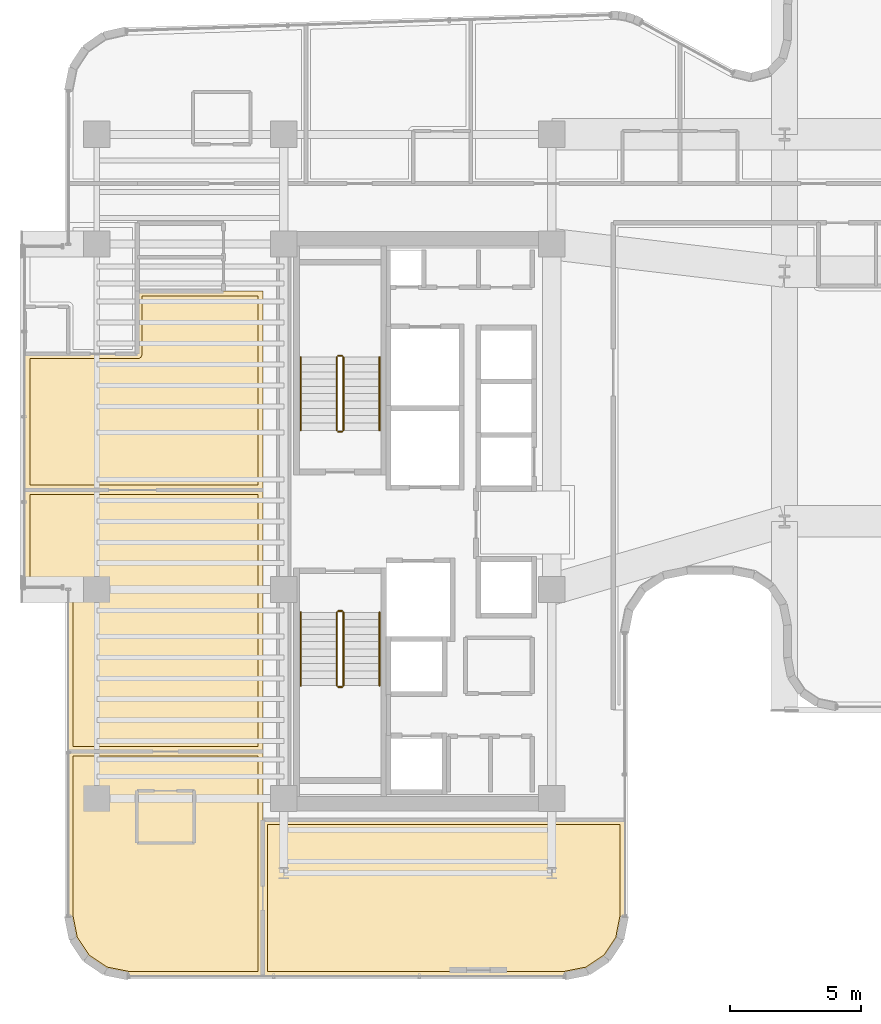
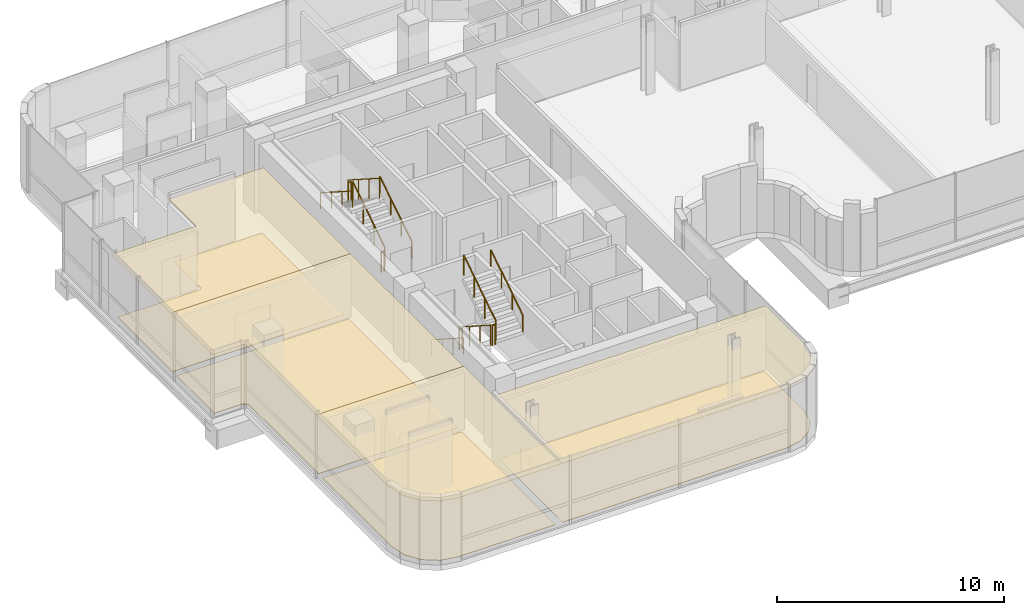
# One storey, part 32 of 36: 12 railings, 8 coverings.
"""IFC4 building model written with IfcOpenShell, lengths in metres."""

from ifc_helpers import new_model, si_unit, direction, frame, origin, origin_2d, place, context, subcontext, project, spatial, polyline, circle, outline, extrude, material, layer, layer_set, type_object, element, save


model = new_model("IFC4")

# Units and contexts
model_context = context("Model", 3, precision=1e-05, world=origin(), true_north=direction((0.0, 1.0)))
body_context = subcontext(model_context, "Body", "Model", "MODEL_VIEW")
ifc_project = project(units=[si_unit("LENGTHUNIT", "METRE"), si_unit("AREAUNIT", "SQUARE_METRE"), si_unit("VOLUMEUNIT", "CUBIC_METRE"), si_unit("PLANEANGLEUNIT", "RADIAN"), si_unit("MASSUNIT", "GRAM", prefix="KILO")], contexts=[model_context])

# Site, building, storey
site_placement = place(None, origin())
site = spatial("IfcSite", under=ifc_project, at=site_placement, CompositionType="ELEMENT")
building_placement = place(site_placement, origin())
building = spatial("IfcBuilding", under=site, at=building_placement, Name="Valdorenza Pilgrim Sanctuary Tower", CompositionType="ELEMENT")
storey_placement = place(building_placement, frame((0.0, 0.0, 176.550048828125)))
storey = spatial("IfcBuildingStorey", under=building, at=storey_placement, Name="L45", CompositionType="ELEMENT", Elevation=176.550048828125)

# Coverings
ifc_material_1 = material(Name="Micro-perforated acoustic mineral ceiling tile", Category="gypsum")
ifc_layer_1 = layer(ifc_material_1, 0.02490234375, Name="Micro-perforated acoustic mineral ceiling tile")
ifc_layer_set_1 = layer_set([ifc_layer_1], Name="Micro-perforated acoustic mineral ceiling tile")
covering_type_1 = type_object("IfcCoveringType", Name="COV-CLG-ACU", PredefinedType="CEILING", material=ifc_layer_set_1)
covering_1_placement = place(storey_placement, frame((0.0, 0.0, 3.329833984375)))
element("IfcCovering", 1, at=covering_1_placement, inside=storey, type_object=covering_type_1, Name="L45 Pilgrim Guest Room L45-CS1 Acoustic Ceiling", PredefinedType="CEILING", context=body_context, shape_type="SweptSolid", body=[
    extrude(outline(polyline([(-23.449951171875, -8.784912109375), (-23.448486328125, -8.78515625), (-23.447021484375, -8.785400390625), (-23.445556640625, -8.78564453125), (-23.4443359375, -8.7861328125), (-23.44287109375, -8.786865234375), (-23.441650390625, -8.78759765625), (-23.4404296875, -8.788330078125), (-23.439453125, -8.789306640625), (-23.4384765625, -8.79052734375), (-23.4375, -8.791748046875), (-23.436767578125, -8.79296875), (-23.43603515625, -8.794189453125), (-23.435546875, -8.795654296875), (-23.435302734375, -8.797119140625), (-23.43505859375, -8.798583984375), (-23.43505859375, -8.800048828125), (-23.43505859375, -17.389892578125), (-23.43505859375, -17.3916015625), (-23.435302734375, -17.392822265625), (-23.435546875, -17.394287109375), (-23.43603515625, -17.395751953125), (-23.436767578125, -17.397216796875), (-23.4375, -17.398193359375), (-23.4384765625, -17.3994140625), (-23.439453125, -17.400634765625), (-23.4404296875, -17.401611328125), (-23.441650390625, -17.402587890625), (-23.44287109375, -17.4033203125), (-23.4443359375, -17.40380859375), (-23.445556640625, -17.404296875), (-23.447021484375, -17.40478515625), (-23.448486328125, -17.40478515625), (-23.449951171875, -17.405029296875), (-28.589111328125, -17.405029296875), (-28.590576171875, -17.40478515625), (-28.592041015625, -17.40478515625), (-29.478515625, -17.228515625), (-29.479736328125, -17.22802734375), (-29.481201171875, -17.2275390625), (-29.482666015625, -17.226806640625), (-29.48388671875, -17.226318359375), (-30.22607421875, -16.730224609375), (-30.227294921875, -16.7294921875), (-30.228515625, -16.728515625), (-30.2294921875, -16.727294921875), (-30.230224609375, -16.72607421875), (-30.726318359375, -15.98388671875), (-30.726806640625, -15.982666015625), (-30.7275390625, -15.981201171875), (-30.72802734375, -15.979736328125), (-30.728515625, -15.978515625), (-30.90478515625, -15.092041015625), (-30.90478515625, -15.090576171875), (-30.905029296875, -15.089111328125), (-30.905029296875, -8.800048828125), (-30.90478515625, -8.798583984375), (-30.90478515625, -8.797119140625), (-30.904296875, -8.795654296875), (-30.90380859375, -8.794189453125), (-30.9033203125, -8.79296875), (-30.902587890625, -8.791748046875), (-30.901611328125, -8.79052734375), (-30.900634765625, -8.789306640625), (-30.8994140625, -8.788330078125), (-30.898193359375, -8.78759765625), (-30.897216796875, -8.786865234375), (-30.895751953125, -8.7861328125), (-30.894287109375, -8.78564453125), (-30.892822265625, -8.785400390625), (-30.8916015625, -8.78515625), (-30.889892578125, -8.784912109375), (-23.449951171875, -8.784912109375)])), origin(), (0.0, 0.0, 1.0), 0.025146484375),
])
covering_2_placement = place(storey_placement, frame((0.0, 0.0, 3.329833984375)))
element("IfcCovering", 2, at=covering_2_placement, inside=storey, type_object=covering_type_1, Name="L45 South Contemplation Salon L45 Acoustic Ceiling", PredefinedType="CEILING", context=body_context, shape_type="SweptSolid", body=[
    extrude(outline(polyline([(-23.43505859375, -8.798095703125), (-23.43505859375, -8.799560546875), (-23.435302734375, -8.80078125), (-23.435546875, -8.802490234375), (-23.43603515625, -8.8037109375), (-23.436767578125, -8.80517578125), (-23.4375, -8.806396484375), (-23.4384765625, -8.8076171875), (-23.439453125, -8.80859375), (-23.4404296875, -8.8095703125), (-23.441650390625, -8.810546875), (-23.44287109375, -8.811279296875), (-23.4443359375, -8.81201171875), (-23.445556640625, -8.8125), (-23.447021484375, -8.812744140625), (-23.448486328125, -8.81298828125), (-23.449951171875, -8.81298828125), (-30.889892578125, -8.81298828125), (-30.8916015625, -8.81298828125), (-30.892822265625, -8.812744140625), (-30.894287109375, -8.8125), (-30.895751953125, -8.81201171875), (-30.897216796875, -8.811279296875), (-30.898193359375, -8.810546875), (-30.8994140625, -8.8095703125), (-30.900634765625, -8.80859375), (-30.901611328125, -8.8076171875), (-30.902587890625, -8.806396484375), (-30.9033203125, -8.80517578125), (-30.90380859375, -8.8037109375), (-30.904296875, -8.802490234375), (-30.90478515625, -8.80078125), (-30.90478515625, -8.799560546875), (-30.905029296875, -8.798095703125), (-30.905029296875, -2.600341796875), (-30.905517578125, -2.5908203125), (-30.90673828125, -2.58154296875), (-30.9091796875, -2.572509765625), (-30.912109375, -2.563720703125), (-30.916259765625, -2.55517578125), (-30.9208984375, -2.547119140625), (-30.926513671875, -2.539794921875), (-30.932861328125, -2.53271484375), (-30.939697265625, -2.526611328125), (-30.947265625, -2.52099609375), (-30.955078125, -2.51611328125), (-30.963623046875, -2.51220703125), (-30.972412109375, -2.509033203125), (-30.9814453125, -2.5068359375), (-30.99072265625, -2.505615234375), (-31.00048828125, -2.5048828125), (-32.5400390625, -2.5048828125), (-32.54150390625, -2.5048828125), (-32.54296875, -2.504638671875), (-32.54443359375, -2.50439453125), (-32.545654296875, -2.50390625), (-32.547119140625, -2.503173828125), (-32.54833984375, -2.50244140625), (-32.549560546875, -2.501708984375), (-32.550537109375, -2.50048828125), (-32.551513671875, -2.49951171875), (-32.552490234375, -2.498291015625), (-32.55322265625, -2.4970703125), (-32.553955078125, -2.49560546875), (-32.554443359375, -2.494384765625), (-32.5546875, -2.492919921875), (-32.554931640625, -2.491455078125), (-32.554931640625, -2.489990234375), (-32.554931640625, 1.199951171875), (-32.554931640625, 1.201416015625), (-32.5546875, 1.202880859375), (-32.554443359375, 1.204345703125), (-32.553955078125, 1.205810546875), (-32.55322265625, 1.20703125), (-32.552490234375, 1.208251953125), (-32.551513671875, 1.20947265625), (-32.550537109375, 1.210693359375), (-32.549560546875, 1.211669921875), (-32.54833984375, 1.21240234375), (-32.547119140625, 1.213134765625), (-32.545654296875, 1.2138671875), (-32.54443359375, 1.21435546875), (-32.54296875, 1.214599609375), (-32.54150390625, 1.21484375), (-32.5400390625, 1.215087890625), (-23.449951171875, 1.215087890625), (-23.448486328125, 1.21484375), (-23.447021484375, 1.214599609375), (-23.445556640625, 1.21435546875), (-23.4443359375, 1.2138671875), (-23.44287109375, 1.213134765625), (-23.441650390625, 1.21240234375), (-23.4404296875, 1.211669921875), (-23.439453125, 1.210693359375), (-23.4384765625, 1.20947265625), (-23.4375, 1.208251953125), (-23.436767578125, 1.20703125), (-23.43603515625, 1.205810546875), (-23.435546875, 1.204345703125), (-23.435302734375, 1.202880859375), (-23.43505859375, 1.201416015625), (-23.43505859375, 1.199951171875), (-23.43505859375, -8.798095703125)])), origin(), (0.0, 0.0, 1.0), 0.025146484375),
])
covering_3_placement = place(storey_placement, frame((0.0, 0.0, 3.329833984375)))
element("IfcCovering", 3, at=covering_3_placement, inside=storey, type_object=covering_type_1, Name="L45 North Contemplation Salon L45 Acoustic Ceiling", PredefinedType="CEILING", context=body_context, shape_type="SweptSolid", body=[
    extrude(outline(polyline([(-30.8916015625, 6.4130859375), (-30.89111328125, 6.4130859375), (-30.889404296875, 6.413330078125), (-30.887939453125, 6.4130859375), (-30.886474609375, 6.4130859375), (-30.88623046875, 6.4130859375), (-28.262939453125, 6.4130859375), (-28.262939453125, 8.798095703125), (-28.262939453125, 8.799560546875), (-28.2626953125, 8.80078125), (-28.262451171875, 8.802490234375), (-28.261962890625, 8.8037109375), (-28.26123046875, 8.80517578125), (-28.260498046875, 8.806396484375), (-28.259521484375, 8.8076171875), (-28.258544921875, 8.80859375), (-28.257568359375, 8.8095703125), (-28.25634765625, 8.810546875), (-28.255126953125, 8.811279296875), (-28.253662109375, 8.81201171875), (-28.25244140625, 8.8125), (-28.2509765625, 8.812744140625), (-28.24951171875, 8.81298828125), (-28.248046875, 8.81298828125), (-24.955322265625, 8.81298828125), (-24.954833984375, 8.813232421875), (-24.95361328125, 8.81396484375), (-24.9521484375, 8.814453125), (-24.95068359375, 8.814697265625), (-24.949462890625, 8.81494140625), (-24.947998046875, 8.81494140625), (-23.449951171875, 8.81494140625), (-23.448486328125, 8.81494140625), (-23.447021484375, 8.814697265625), (-23.445556640625, 8.814453125), (-23.4443359375, 8.81396484375), (-23.44287109375, 8.813232421875), (-23.441650390625, 8.8125), (-23.4404296875, 8.8115234375), (-23.439453125, 8.810546875), (-23.4384765625, 8.8095703125), (-23.4375, 8.808349609375), (-23.436767578125, 8.80712890625), (-23.43603515625, 8.8056640625), (-23.435546875, 8.804443359375), (-23.435302734375, 8.802978515625), (-23.43505859375, 8.801513671875), (-23.43505859375, 8.800048828125), (-23.43505859375, 1.201904296875), (-23.43505859375, 1.200439453125), (-23.435302734375, 1.19921875), (-23.435546875, 1.197509765625), (-23.43603515625, 1.1962890625), (-23.436767578125, 1.19482421875), (-23.4375, 1.193603515625), (-23.4384765625, 1.1923828125), (-23.439453125, 1.19140625), (-23.4404296875, 1.1904296875), (-23.441650390625, 1.189453125), (-23.44287109375, 1.188720703125), (-23.4443359375, 1.18798828125), (-23.445556640625, 1.1875), (-23.447021484375, 1.187255859375), (-23.448486328125, 1.18701171875), (-23.449951171875, 1.18701171875), (-32.5400390625, 1.18701171875), (-32.54150390625, 1.18701171875), (-32.54296875, 1.187255859375), (-32.54443359375, 1.1875), (-32.545654296875, 1.18798828125), (-32.547119140625, 1.188720703125), (-32.54833984375, 1.189453125), (-32.549560546875, 1.1904296875), (-32.550537109375, 1.19140625), (-32.551513671875, 1.1923828125), (-32.552490234375, 1.193603515625), (-32.55322265625, 1.19482421875), (-32.553955078125, 1.1962890625), (-32.554443359375, 1.197509765625), (-32.5546875, 1.19921875), (-32.554931640625, 1.200439453125), (-32.554931640625, 1.201904296875), (-32.554931640625, 6.39794921875), (-32.554931640625, 6.3994140625), (-32.5546875, 6.40087890625), (-32.554443359375, 6.40234375), (-32.553955078125, 6.40380859375), (-32.55322265625, 6.405029296875), (-32.552490234375, 6.40625), (-32.551513671875, 6.407470703125), (-32.550537109375, 6.40869140625), (-32.549560546875, 6.40966796875), (-32.54833984375, 6.410400390625), (-32.547119140625, 6.4111328125), (-32.545654296875, 6.411865234375), (-32.54443359375, 6.412353515625), (-32.54296875, 6.41259765625), (-32.54150390625, 6.412841796875), (-32.5400390625, 6.4130859375), (-30.8916015625, 6.4130859375)])), origin(), (0.0, 0.0, 1.0), 0.025146484375),
])
covering_4_placement = place(storey_placement, frame((0.0, 0.0, 3.329833984375)))
element("IfcCovering", 4, at=covering_4_placement, inside=storey, type_object=covering_type_1, Name="L45 Sacred Archive Reading Library L45-S Acoustic Ceiling", PredefinedType="CEILING", context=body_context, shape_type="SweptSolid", body=[
    extrude(outline(polyline([(-9.610107421875, -11.405029296875), (-9.6083984375, -11.405029296875), (-9.607177734375, -11.4052734375), (-9.605712890625, -11.405517578125), (-9.604248046875, -11.406005859375), (-9.602783203125, -11.40673828125), (-9.601806640625, -11.407470703125), (-9.6005859375, -11.408447265625), (-9.599365234375, -11.409423828125), (-9.598388671875, -11.410400390625), (-9.597412109375, -11.41162109375), (-9.5966796875, -11.412841796875), (-9.59619140625, -11.414306640625), (-9.595703125, -11.41552734375), (-9.59521484375, -11.4169921875), (-9.59521484375, -11.41845703125), (-9.594970703125, -11.419921875), (-9.594970703125, -15.089111328125), (-9.59521484375, -15.090576171875), (-9.59521484375, -15.092041015625), (-9.771484375, -15.978515625), (-9.77197265625, -15.979736328125), (-9.7724609375, -15.981201171875), (-9.773193359375, -15.982666015625), (-9.773681640625, -15.98388671875), (-10.269775390625, -16.72607421875), (-10.2705078125, -16.727294921875), (-10.271484375, -16.728515625), (-10.272705078125, -16.7294921875), (-10.27392578125, -16.730224609375), (-11.01611328125, -17.226318359375), (-11.017333984375, -17.226806640625), (-11.018798828125, -17.2275390625), (-11.020263671875, -17.22802734375), (-11.021484375, -17.228515625), (-11.907958984375, -17.40478515625), (-11.909423828125, -17.40478515625), (-11.910888671875, -17.405029296875), (-23.447998046875, -17.405029296875), (-23.449462890625, -17.40478515625), (-23.450927734375, -17.40478515625), (-23.452392578125, -17.404296875), (-23.45361328125, -17.40380859375), (-23.455078125, -17.4033203125), (-23.456298828125, -17.402587890625), (-23.45751953125, -17.401611328125), (-23.45849609375, -17.400634765625), (-23.459716796875, -17.3994140625), (-23.46044921875, -17.398193359375), (-23.461181640625, -17.397216796875), (-23.4619140625, -17.395751953125), (-23.46240234375, -17.394287109375), (-23.462646484375, -17.392822265625), (-23.462890625, -17.3916015625), (-23.462890625, -17.389892578125), (-23.462890625, -11.419921875), (-23.462890625, -11.41845703125), (-23.462646484375, -11.4169921875), (-23.46240234375, -11.41552734375), (-23.4619140625, -11.414306640625), (-23.461181640625, -11.412841796875), (-23.46044921875, -11.41162109375), (-23.459716796875, -11.410400390625), (-23.45849609375, -11.409423828125), (-23.45751953125, -11.408447265625), (-23.456298828125, -11.407470703125), (-23.455078125, -11.40673828125), (-23.45361328125, -11.406005859375), (-23.452392578125, -11.405517578125), (-23.450927734375, -11.4052734375), (-23.449462890625, -11.405029296875), (-23.447998046875, -11.405029296875), (-9.610107421875, -11.405029296875)])), origin(), (0.0, 0.0, 1.0), 0.025146484375),
])
ifc_material_2 = material(Name="Engineered European oak timber flooring", Category="wood")
ifc_layer_2 = layer(ifc_material_2, 0.02197265625, Name="Engineered European oak timber flooring")
ifc_layer_set_2 = layer_set([ifc_layer_2], Name="Engineered European oak timber flooring")
covering_type_2 = type_object("IfcCoveringType", Name="COV-FLR-OAK", PredefinedType="FLOORING", material=ifc_layer_set_2)
covering_5_placement = place(storey_placement, origin())
element("IfcCovering", 5, at=covering_5_placement, inside=storey, type_object=covering_type_2, Name="L45 Pilgrim Guest Room L45-CS1 Flooring", PredefinedType="FLOORING", context=body_context, shape_type="SweptSolid", body=[
    extrude(outline(polyline([(-23.6298828125, -8.97998046875), (-23.6298828125, -17.2099609375), (-28.5712890625, -17.2099609375), (-29.4052734375, -17.044189453125), (-30.087890625, -16.587890625), (-30.544189453125, -15.9052734375), (-30.7099609375, -15.0712890625), (-30.7099609375, -8.97998046875), (-23.6298828125, -8.97998046875)])), origin(), (0.0, 0.0, 1.0), 0.02490234375),
])
ifc_material_3 = material(Name="Honed travertine stone flooring", Category="masonry")
ifc_layer_3 = layer(ifc_material_3, 0.030029296875, Name="Honed travertine stone flooring")
ifc_layer_set_3 = layer_set([ifc_layer_3], Name="Honed travertine stone flooring")
covering_type_3 = type_object("IfcCoveringType", Name="COV-FLR-TRV", PredefinedType="FLOORING", material=ifc_layer_set_3)
covering_6_placement = place(storey_placement, origin())
element("IfcCovering", 6, at=covering_6_placement, inside=storey, type_object=covering_type_3, Name="L45 South Contemplation Salon L45 Flooring", PredefinedType="FLOORING", context=body_context, shape_type="SweptSolid", body=[
    extrude(outline(polyline([(-23.6298828125, -8.617919921875), (-30.7099609375, -8.617919921875), (-30.7099609375, -2.60009765625), (-30.710205078125, -2.59130859375), (-30.710693359375, -2.580322265625), (-30.71240234375, -2.562744140625), (-30.714111328125, -2.552001953125), (-30.717529296875, -2.534912109375), (-30.72021484375, -2.5244140625), (-30.725341796875, -2.50732421875), (-30.72900390625, -2.497314453125), (-30.735595703125, -2.48095703125), (-30.740234375, -2.47119140625), (-30.74853515625, -2.45556640625), (-30.754150390625, -2.4462890625), (-30.763916015625, -2.431640625), (-30.7705078125, -2.423095703125), (-30.781494140625, -2.4091796875), (-30.788818359375, -2.4013671875), (-30.80126953125, -2.388916015625), (-30.809326171875, -2.381591796875), (-30.822998046875, -2.370361328125), (-30.831787109375, -2.364013671875), (-30.84619140625, -2.35400390625), (-30.855712890625, -2.3486328125), (-30.87109375, -2.34033203125), (-30.880859375, -2.335693359375), (-30.897216796875, -2.328857421875), (-30.907470703125, -2.3251953125), (-30.92431640625, -2.320068359375), (-30.934814453125, -2.3173828125), (-30.9521484375, -2.314208984375), (-30.962890625, -2.3125), (-30.98046875, -2.310791015625), (-30.9912109375, -2.310302734375), (-31.0, -2.31005859375), (-32.360107421875, -2.31005859375), (-32.360107421875, 1.02001953125), (-23.6298828125, 1.02001953125), (-23.6298828125, -8.617919921875)])), origin(), (0.0, 0.0, 1.0), 0.02490234375),
])
covering_7_placement = place(storey_placement, origin())
element("IfcCovering", 7, at=covering_7_placement, inside=storey, type_object=covering_type_3, Name="L45 North Contemplation Salon L45 Flooring", PredefinedType="FLOORING", context=body_context, shape_type="SweptSolid", body=[
    extrude(outline(polyline([(-30.88818359375, 6.218017578125), (-30.887939453125, 6.218017578125), (-28.25, 6.218017578125), (-28.2412109375, 6.21826171875), (-28.240966796875, 6.21826171875), (-28.223388671875, 6.219970703125), (-28.22314453125, 6.219970703125), (-28.205810546875, 6.223388671875), (-28.205810546875, 6.223388671875), (-28.188720703125, 6.228515625), (-28.188720703125, 6.228759765625), (-28.17236328125, 6.2353515625), (-28.172119140625, 6.235595703125), (-28.156494140625, 6.243896484375), (-28.156494140625, 6.243896484375), (-28.1416015625, 6.25390625), (-28.1416015625, 6.25390625), (-28.1279296875, 6.26513671875), (-28.127685546875, 6.26513671875), (-28.115234375, 6.277587890625), (-28.114990234375, 6.27783203125), (-28.10400390625, 6.29150390625), (-28.103759765625, 6.291748046875), (-28.093994140625, 6.306396484375), (-28.09375, 6.306396484375), (-28.08544921875, 6.322021484375), (-28.08544921875, 6.322265625), (-28.07861328125, 6.338623046875), (-28.07861328125, 6.3388671875), (-28.073486328125, 6.355712890625), (-28.073486328125, 6.35595703125), (-28.070068359375, 6.373291015625), (-28.070068359375, 6.373291015625), (-28.068115234375, 6.39111328125), (-28.068115234375, 6.39111328125), (-28.068115234375, 6.39990234375), (-28.068115234375, 8.617919921875), (-24.949951171875, 8.617919921875), (-24.94970703125, 8.617919921875), (-23.6298828125, 8.619873046875), (-23.6298828125, 1.382080078125), (-32.360107421875, 1.382080078125), (-32.360107421875, 6.218017578125), (-30.889892578125, 6.218017578125), (-30.888916015625, 6.218017578125), (-30.88818359375, 6.218017578125)])), origin(), (0.0, 0.0, 1.0), 0.02490234375),
])
covering_8_placement = place(storey_placement, origin())
element("IfcCovering", 8, at=covering_8_placement, inside=storey, type_object=covering_type_3, Name="L45 Sacred Archive Reading Library L45-S Flooring", PredefinedType="FLOORING", context=body_context, shape_type="SweptSolid", body=[
    extrude(outline(polyline([(-9.7900390625, -11.60009765625), (-9.7900390625, -15.0712890625), (-9.955810546875, -15.9052734375), (-10.412109375, -16.587890625), (-11.0947265625, -17.044189453125), (-11.9287109375, -17.2099609375), (-23.26806640625, -17.2099609375), (-23.26806640625, -11.60009765625), (-9.7900390625, -11.60009765625)])), origin(), (0.0, 0.0, 1.0), 0.02490234375),
])

# Railings
ifc_material_4 = material(Name="Stainless steel Grade 316", Category="steel")
railing_type_1 = type_object("IfcRailingType", Name="RLG-GRD-1120", PredefinedType="GUARDRAIL", material=ifc_material_4)
railing_1_placement = place(storey_placement, frame((-20.3701171875, 3.47998046875, 0.179443359375)))
element("IfcRailing", 9, at=railing_1_placement, inside=storey, type_object=railing_type_1, Name="L45 ST-A1 stair guard 1", PredefinedType="GUARDRAIL", context=body_context, shape_type="SweptSolid", body=[
    extrude(circle(Radius=0.02392578125, at=origin_2d()), frame((0.0, 0.0, 1.076171875), z_axis=(0.0, 0.841809871826, 0.539774156196), x_axis=(-1.0, 0.0, 0.0)), (0.0, 0.0, 1.0), 3.326171875),
    extrude(circle(Radius=0.02099609375, at=origin_2d()), origin(), (0.0, 0.0, 1.0), 1.052001953125),
    extrude(circle(Radius=0.02099609375, at=origin_2d()), frame((0.0, 0.933349609375, 0.598388671875)), (0.0, 0.0, 1.0), 1.052001953125),
    extrude(circle(Radius=0.02099609375, at=origin_2d()), frame((0.0, 1.86669921875, 1.197021484375)), (0.0, 0.0, 1.0), 1.052001953125),
    extrude(circle(Radius=0.02099609375, at=origin_2d()), frame((0.0, 2.800048828125, 1.79541015625)), (0.0, 0.0, 1.0), 1.052001953125),
])
railing_2_placement = place(storey_placement, frame((-20.419921875, 6.330078125, 1.974853515625)))
element("IfcRailing", 10, at=railing_2_placement, inside=storey, type_object=railing_type_1, Name="L45 ST-A1 stair guard 2", PredefinedType="GUARDRAIL", context=body_context, shape_type="SweptSolid", body=[
    extrude(circle(Radius=0.02392578125, at=origin_2d()), frame((0.0, 0.0, 1.076171875), z_axis=(-1.0, 0.0, 0.0), x_axis=(0.0, -1.0, 0.0)), (0.0, 0.0, 1.0), 0.150146484375),
    extrude(circle(Radius=0.02099609375, at=origin_2d()), origin(), (0.0, 0.0, 1.0), 1.052001953125),
    extrude(circle(Radius=0.02099609375, at=origin_2d()), frame((-0.150146484375, 0.0, 0.0)), (0.0, 0.0, 1.0), 1.052001953125),
])
railing_3_placement = place(storey_placement, frame((-20.6201171875, 6.280029296875, 2.154541015625)))
element("IfcRailing", 11, at=railing_3_placement, inside=storey, type_object=railing_type_1, Name="L45 ST-A1 stair guard 3", PredefinedType="GUARDRAIL", context=body_context, shape_type="SweptSolid", body=[
    extrude(circle(Radius=0.02392578125, at=origin_2d()), frame((0.0, 0.0, 1.076171875), z_axis=(0.0, -0.841809871826, 0.539774156196), x_axis=(1.0, 0.0, 0.0)), (0.0, 0.0, 1.0), 3.326171875),
    extrude(circle(Radius=0.02099609375, at=origin_2d()), origin(), (0.0, 0.0, 1.0), 1.052001953125),
    extrude(circle(Radius=0.02099609375, at=origin_2d()), frame((0.0, -0.933349609375, 0.598388671875)), (0.0, 0.0, 1.0), 1.052001953125),
    extrude(circle(Radius=0.02099609375, at=origin_2d()), frame((0.0, -1.86669921875, 1.197021484375)), (0.0, 0.0, 1.0), 1.052001953125),
    extrude(circle(Radius=0.02099609375, at=origin_2d()), frame((0.0, -2.800048828125, 1.79541015625)), (0.0, 0.0, 1.0), 1.052001953125),
])
railing_4_placement = place(storey_placement, frame((-20.419921875, 3.429931640625, 0.0)))
element("IfcRailing", 12, at=railing_4_placement, inside=storey, type_object=railing_type_1, Name="L45 ST-A1 stair guard 4", PredefinedType="GUARDRAIL", context=body_context, shape_type="SweptSolid", body=[
    extrude(circle(Radius=0.02392578125, at=origin_2d()), frame((0.0, 0.0, 1.076171875), z_axis=(-1.0, 0.0, 0.0), x_axis=(0.0, -1.0, 0.0)), (0.0, 0.0, 1.0), 0.150146484375),
    extrude(circle(Radius=0.02099609375, at=origin_2d()), origin(), (0.0, 0.0, 1.0), 1.052001953125),
    extrude(circle(Radius=0.02099609375, at=origin_2d()), frame((-0.150146484375, 0.0, 0.0)), (0.0, 0.0, 1.0), 1.052001953125),
])
railing_5_placement = place(storey_placement, frame((-20.6201171875, -3.47998046875, 0.179443359375)))
element("IfcRailing", 13, at=railing_5_placement, inside=storey, type_object=railing_type_1, Name="L45 ST-A2 stair guard 1", PredefinedType="GUARDRAIL", context=body_context, shape_type="SweptSolid", body=[
    extrude(circle(Radius=0.02392578125, at=origin_2d()), frame((0.0, 0.0, 1.076171875), z_axis=(0.0, -0.841809871826, 0.539774156196), x_axis=(1.0, 0.0, 0.0)), (0.0, 0.0, 1.0), 3.326171875),
    extrude(circle(Radius=0.02099609375, at=origin_2d()), origin(), (0.0, 0.0, 1.0), 1.052001953125),
    extrude(circle(Radius=0.02099609375, at=origin_2d()), frame((0.0, -0.933349609375, 0.598388671875)), (0.0, 0.0, 1.0), 1.052001953125),
    extrude(circle(Radius=0.02099609375, at=origin_2d()), frame((0.0, -1.86669921875, 1.197021484375)), (0.0, 0.0, 1.0), 1.052001953125),
    extrude(circle(Radius=0.02099609375, at=origin_2d()), frame((0.0, -2.800048828125, 1.79541015625)), (0.0, 0.0, 1.0), 1.052001953125),
])
railing_6_placement = place(storey_placement, frame((-20.570068359375, -6.330078125, 1.974853515625)))
element("IfcRailing", 14, at=railing_6_placement, inside=storey, type_object=railing_type_1, Name="L45 ST-A2 stair guard 2", PredefinedType="GUARDRAIL", context=body_context, shape_type="SweptSolid", body=[
    extrude(circle(Radius=0.02392578125, at=origin_2d()), frame((0.0, 0.0, 1.076171875), z_axis=(1.0, 0.0, 0.0), x_axis=(0.0, 1.0, 0.0)), (0.0, 0.0, 1.0), 0.150146484375),
    extrude(circle(Radius=0.02099609375, at=origin_2d()), origin(), (0.0, 0.0, 1.0), 1.052001953125),
    extrude(circle(Radius=0.02099609375, at=origin_2d()), frame((0.150146484375, 0.0, 0.0)), (0.0, 0.0, 1.0), 1.052001953125),
])
railing_7_placement = place(storey_placement, frame((-20.3701171875, -6.280029296875, 2.154541015625)))
element("IfcRailing", 15, at=railing_7_placement, inside=storey, type_object=railing_type_1, Name="L45 ST-A2 stair guard 3", PredefinedType="GUARDRAIL", context=body_context, shape_type="SweptSolid", body=[
    extrude(circle(Radius=0.02392578125, at=origin_2d()), frame((0.0, 0.0, 1.076171875), z_axis=(0.0, 0.841809871826, 0.539774156196), x_axis=(-1.0, 0.0, 0.0)), (0.0, 0.0, 1.0), 3.326171875),
    extrude(circle(Radius=0.02099609375, at=origin_2d()), origin(), (0.0, 0.0, 1.0), 1.052001953125),
    extrude(circle(Radius=0.02099609375, at=origin_2d()), frame((0.0, 0.933349609375, 0.598388671875)), (0.0, 0.0, 1.0), 1.052001953125),
    extrude(circle(Radius=0.02099609375, at=origin_2d()), frame((0.0, 1.86669921875, 1.197021484375)), (0.0, 0.0, 1.0), 1.052001953125),
    extrude(circle(Radius=0.02099609375, at=origin_2d()), frame((0.0, 2.800048828125, 1.79541015625)), (0.0, 0.0, 1.0), 1.052001953125),
])
railing_8_placement = place(storey_placement, frame((-20.570068359375, -3.429931640625, 0.0)))
element("IfcRailing", 16, at=railing_8_placement, inside=storey, type_object=railing_type_1, Name="L45 ST-A2 stair guard 4", PredefinedType="GUARDRAIL", context=body_context, shape_type="SweptSolid", body=[
    extrude(circle(Radius=0.02392578125, at=origin_2d()), frame((0.0, 0.0, 1.076171875), z_axis=(1.0, 0.0, 0.0), x_axis=(0.0, 1.0, 0.0)), (0.0, 0.0, 1.0), 0.150146484375),
    extrude(circle(Radius=0.02099609375, at=origin_2d()), origin(), (0.0, 0.0, 1.0), 1.052001953125),
    extrude(circle(Radius=0.02099609375, at=origin_2d()), frame((0.150146484375, 0.0, 0.0)), (0.0, 0.0, 1.0), 1.052001953125),
])
ifc_material_5 = material(Name="Brushed stainless steel Grade 316", Category="steel")
railing_type_2 = type_object("IfcRailingType", Name="RLG-HND-920", PredefinedType="HANDRAIL", material=ifc_material_5)
railing_9_placement = place(storey_placement, frame((-18.989990234375, 3.47998046875, 0.179443359375)))
element("IfcRailing", 17, at=railing_9_placement, inside=storey, type_object=railing_type_2, Name="L45 ST-A1 stair handrail 1", PredefinedType="HANDRAIL", context=body_context, shape_type="SweptSolid", body=[
    extrude(circle(Radius=0.02392578125, at=origin_2d()), frame((0.0, 0.0, 0.8759765625), z_axis=(0.0, 0.841809871826, 0.539774156196), x_axis=(-1.0, 0.0, 0.0)), (0.0, 0.0, 1.0), 3.326171875),
    extrude(circle(Radius=0.02099609375, at=origin_2d()), origin(), (0.0, 0.0, 1.0), 0.851806640625),
    extrude(circle(Radius=0.02099609375, at=origin_2d()), frame((0.0, 0.933349609375, 0.598388671875)), (0.0, 0.0, 1.0), 0.851806640625),
    extrude(circle(Radius=0.02099609375, at=origin_2d()), frame((0.0, 1.86669921875, 1.197021484375)), (0.0, 0.0, 1.0), 0.851806640625),
    extrude(circle(Radius=0.02099609375, at=origin_2d()), frame((0.0, 2.800048828125, 1.79541015625)), (0.0, 0.0, 1.0), 0.851806640625),
])
for number, where, name in (
    (18, (-22.0, 6.280029296875, 2.154541015625), "L45 ST-A1 stair handrail 2"),
    (19, (-22.0, -3.47998046875, 0.179443359375), "L45 ST-A2 stair handrail 1"),
):
    element("IfcRailing", number, at=place(storey_placement, frame(where)), inside=storey, type_object=railing_type_2, Name=name, PredefinedType="HANDRAIL", context=body_context, shape_type="SweptSolid", body=[
        extrude(circle(Radius=0.02392578125, at=origin_2d()), frame((0.0, 0.0, 0.8759765625), z_axis=(0.0, -0.841809871826, 0.539774156196), x_axis=(1.0, 0.0, 0.0)), (0.0, 0.0, 1.0), 3.326171875),
        extrude(circle(Radius=0.02099609375, at=origin_2d()), origin(), (0.0, 0.0, 1.0), 0.851806640625),
        extrude(circle(Radius=0.02099609375, at=origin_2d()), frame((0.0, -0.933349609375, 0.598388671875)), (0.0, 0.0, 1.0), 0.851806640625),
        extrude(circle(Radius=0.02099609375, at=origin_2d()), frame((0.0, -1.86669921875, 1.197021484375)), (0.0, 0.0, 1.0), 0.851806640625),
        extrude(circle(Radius=0.02099609375, at=origin_2d()), frame((0.0, -2.800048828125, 1.79541015625)), (0.0, 0.0, 1.0), 0.851806640625),
    ])
railing_10_placement = place(storey_placement, frame((-18.989990234375, -6.280029296875, 2.154541015625)))
element("IfcRailing", 20, at=railing_10_placement, inside=storey, type_object=railing_type_2, Name="L45 ST-A2 stair handrail 2", PredefinedType="HANDRAIL", context=body_context, shape_type="SweptSolid", body=[
    extrude(circle(Radius=0.02392578125, at=origin_2d()), frame((0.0, 0.0, 0.8759765625), z_axis=(0.0, 0.841809871826, 0.539774156196), x_axis=(-1.0, 0.0, 0.0)), (0.0, 0.0, 1.0), 3.326171875),
    extrude(circle(Radius=0.02099609375, at=origin_2d()), origin(), (0.0, 0.0, 1.0), 0.851806640625),
    extrude(circle(Radius=0.02099609375, at=origin_2d()), frame((0.0, 0.933349609375, 0.598388671875)), (0.0, 0.0, 1.0), 0.851806640625),
    extrude(circle(Radius=0.02099609375, at=origin_2d()), frame((0.0, 1.86669921875, 1.197021484375)), (0.0, 0.0, 1.0), 0.851806640625),
    extrude(circle(Radius=0.02099609375, at=origin_2d()), frame((0.0, 2.800048828125, 1.79541015625)), (0.0, 0.0, 1.0), 0.851806640625),
])

save(model, "model.ifc")
